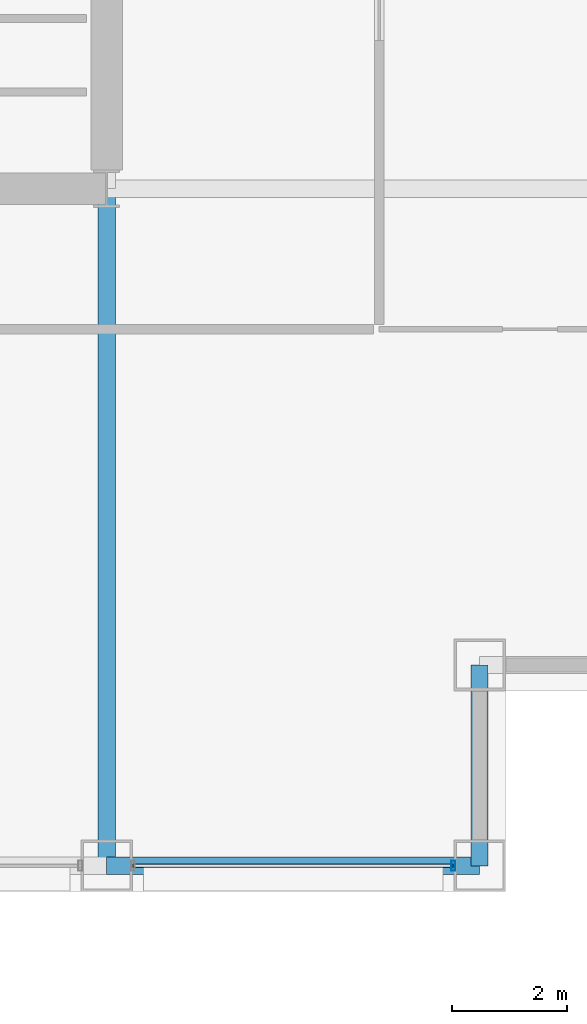
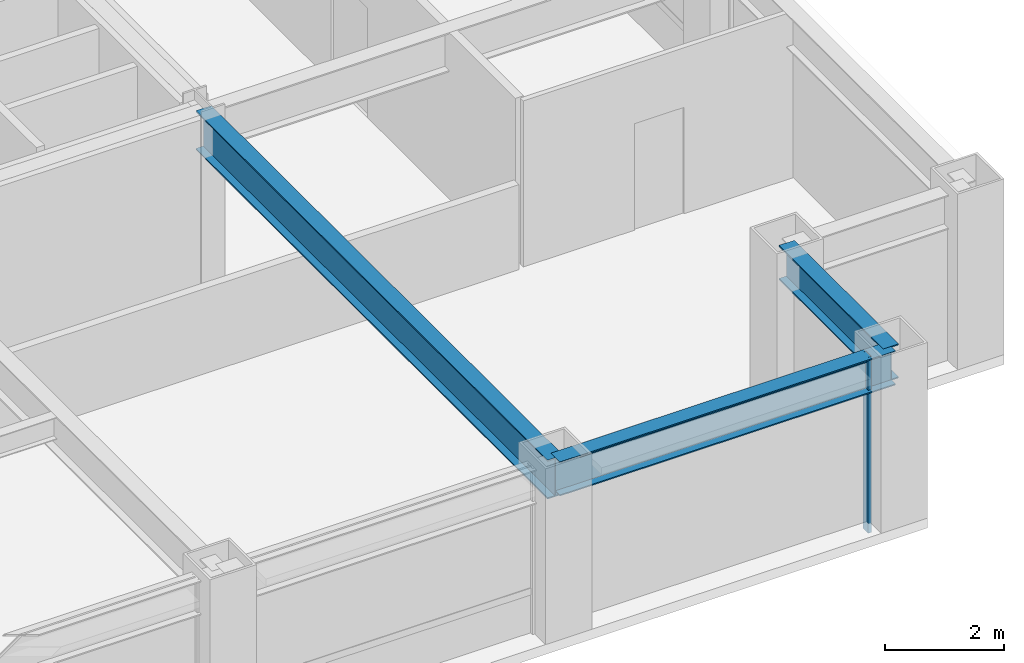
# One storey, part 11 of 29: 3 beams, 2 members, 1 element without a shape of its own.
"""IFC4 building model written with IfcOpenShell, lengths in metres."""

from ifc_helpers import new_model, si_unit, direction, frame, origin, origin_2d, place, context, subcontext, project, spatial, hollow_rectangle, i_section, extrude, material, layer, layer_set, material_profile, profile_set, type_object, element, aggregate, save


model = new_model("IFC4")

# Units and contexts
model_context = context("Model", 3, precision=1e-05, world=origin(), true_north=direction((0.0, 1.0)))
body_context = subcontext(model_context, "Body", "Model", "MODEL_VIEW")
ifc_project = project(units=[si_unit("LENGTHUNIT", "METRE"), si_unit("AREAUNIT", "SQUARE_METRE"), si_unit("VOLUMEUNIT", "CUBIC_METRE"), si_unit("PLANEANGLEUNIT", "RADIAN"), si_unit("MASSUNIT", "GRAM", prefix="KILO")], contexts=[model_context])

# Site, building, storey
site_placement = place(None, origin())
site = spatial("IfcSite", under=ifc_project, at=site_placement, CompositionType="ELEMENT")
building_placement = place(site_placement, origin())
building = spatial("IfcBuilding", under=site, at=building_placement, Name="Brelmoor Portico Tower", CompositionType="ELEMENT")
storey_placement = place(building_placement, frame((0.0, 0.0, 52.800048828125)))
storey = spatial("IfcBuildingStorey", under=building, at=storey_placement, Name="L13", CompositionType="ELEMENT", Elevation=52.800048828125)

# Beams
ifc_material_1 = material(Name="Steel Q355B", Category="steel")
ifc_material_profile_1 = material_profile(ifc_material_1, i_section(OverallWidth=0.300048828125, OverallDepth=0.800048828125, WebThickness=0.013916015625, FlangeThickness=0.02587890625, at=origin_2d()), Name="HN 800x300x14x26")
ifc_profile_set_1 = profile_set([ifc_material_profile_1], Name="Steel Q355B")
beam_type_1 = type_object("IfcBeamType", Name="BM-PG-800", PredefinedType="BEAM", material=ifc_profile_set_1)
beam_1_placement = place(storey_placement, frame((14.550048828125, -21.550048828125, 3.0), z_axis=(0.0, 1.0, 0.0), x_axis=(-1.0, 0.0, 0.0)))
element("IfcBeam", 1, at=beam_1_placement, inside=storey, type_object=beam_type_1, Name="L13 Primary Floor Girder PG-11", PredefinedType="BEAM", context=body_context, shape_type="SweptSolid", body=[
    extrude(i_section(OverallWidth=0.300048828125, OverallDepth=0.800048828125, WebThickness=0.013916015625, FlangeThickness=0.02587890625, at=origin_2d()), origin(), (0.0, 0.0, 1.0), 11.800048828125),
])
ifc_material_profile_2 = material_profile(ifc_material_1, i_section(OverallWidth=0.300048828125, OverallDepth=0.699951171875, WebThickness=0.012939453125, FlangeThickness=0.02392578125, at=origin_2d()), Name="HN 700x300x13x24")
ifc_profile_set_2 = profile_set([ifc_material_profile_2], Name="Steel Q355B")
beam_type_2 = type_object("IfcBeamType", Name="BM-SP-700", PredefinedType="SPANDREL", material=ifc_profile_set_2)
beam_2_placement = place(storey_placement, frame((14.550048828125, -21.550048828125, 3.050048828125), z_axis=(1.0, 0.0, 0.0), x_axis=(0.0, 1.0, 0.0)))
element("IfcBeam", 2, at=beam_2_placement, inside=storey, type_object=beam_type_2, Name="L13 Perimeter Spandrel Beam SP-05", PredefinedType="SPANDREL", context=body_context, shape_type="SweptSolid", body=[
    extrude(i_section(OverallWidth=0.300048828125, OverallDepth=0.699951171875, WebThickness=0.012939453125, FlangeThickness=0.02392578125, at=origin_2d()), origin(), (0.0, 0.0, 1.0), 6.5),
])
beam_3_placement = place(storey_placement, frame((21.050048828125, -21.550048828125, 3.050048828125), z_axis=(0.0, 1.0, 0.0), x_axis=(-1.0, 0.0, 0.0)))
element("IfcBeam", 3, at=beam_3_placement, inside=storey, type_object=beam_type_2, Name="L13 Perimeter Spandrel Beam SP-20", PredefinedType="SPANDREL", context=body_context, shape_type="SweptSolid", body=[
    extrude(i_section(OverallWidth=0.300048828125, OverallDepth=0.699951171875, WebThickness=0.012939453125, FlangeThickness=0.02392578125, at=origin_2d()), origin(), (0.0, 0.0, 1.0), 3.5),
])

# Curtain wall, members
ifc_material_2 = material(Name="Anodised Aluminium Alloy 6063-T6", Category="aluminium")
ifc_layer = layer(ifc_material_2, 0.179931640625)
ifc_layer_set = layer_set([ifc_layer], Name="Anodised Aluminium Alloy 6063-T6")
curtain_wall_type = type_object("IfcCurtainWallType", Name="CW-TOWER-Z1-XB", PredefinedType="NOTDEFINED", material=ifc_layer_set)
curtain_wall_placement = place(storey_placement, origin())
curtain_wall = element("IfcCurtainWall", 4, at=curtain_wall_placement, inside=storey, type_object=curtain_wall_type, Name="L13 Curtain Wall CW-L13-01-5", PredefinedType="NOTDEFINED")
ifc_material_profile_3 = material_profile(ifc_material_2, hollow_rectangle(XDim=0.06494140625, YDim=0.179931640625, WallThickness=0.00390625, at=origin_2d()), Name="ALU MULLION 65x180")
ifc_profile_set_3 = profile_set([ifc_material_profile_3], Name="Anodised Aluminium Alloy 6063-T6")
member_type_1 = type_object("IfcMemberType", Name="MB-CW-MULL-180", PredefinedType="MULLION", material=ifc_profile_set_3)
member_1_placement = place(storey_placement, frame((20.590087890625, -21.550048828125, -0.199951171875), z_axis=(0.0, 0.0, 1.0), x_axis=(1.0, 0.0, 0.0)))
member_1 = element("IfcMember", 5, at=member_1_placement, type_object=member_type_1, Name="CW-L13-01-5 Mullion 01", PredefinedType="MULLION", context=body_context, shape_type="SweptSolid", body=[
    extrude(hollow_rectangle(XDim=0.06494140625, YDim=0.179931640625, WallThickness=0.00390625, at=origin_2d()), origin(), (0.0, 0.0, 1.0), 3.599853515625),
])
ifc_material_profile_4 = material_profile(ifc_material_2, hollow_rectangle(XDim=0.06494140625, YDim=0.139892578125, WallThickness=0.00390625, at=origin_2d()), Name="ALU TRANSOM 65x140")
ifc_profile_set_4 = profile_set([ifc_material_profile_4], Name="Anodised Aluminium Alloy 6063-T6")
member_type_2 = type_object("IfcMemberType", Name="MB-CW-TRAN-140", PredefinedType="USERDEFINED", material=ifc_profile_set_4)
member_2_placement = place(storey_placement, frame((15.010009765625, -21.550048828125, 3.329833984375), z_axis=(1.0, 0.0, 0.0), x_axis=(0.0, 1.0, 0.0)))
member_2 = element("IfcMember", 6, at=member_2_placement, type_object=member_type_2, Name="CW-L13-01-5 Transom 1-00", ObjectType="TRANSOM", PredefinedType="USERDEFINED", context=body_context, shape_type="SweptSolid", body=[
    extrude(hollow_rectangle(XDim=0.06494140625, YDim=0.139892578125, WallThickness=0.00390625, at=origin_2d()), origin(), (0.0, 0.0, 1.0), 5.580078125),
])
aggregate(curtain_wall, [member_1, member_2])

save(model, "model.ifc")
